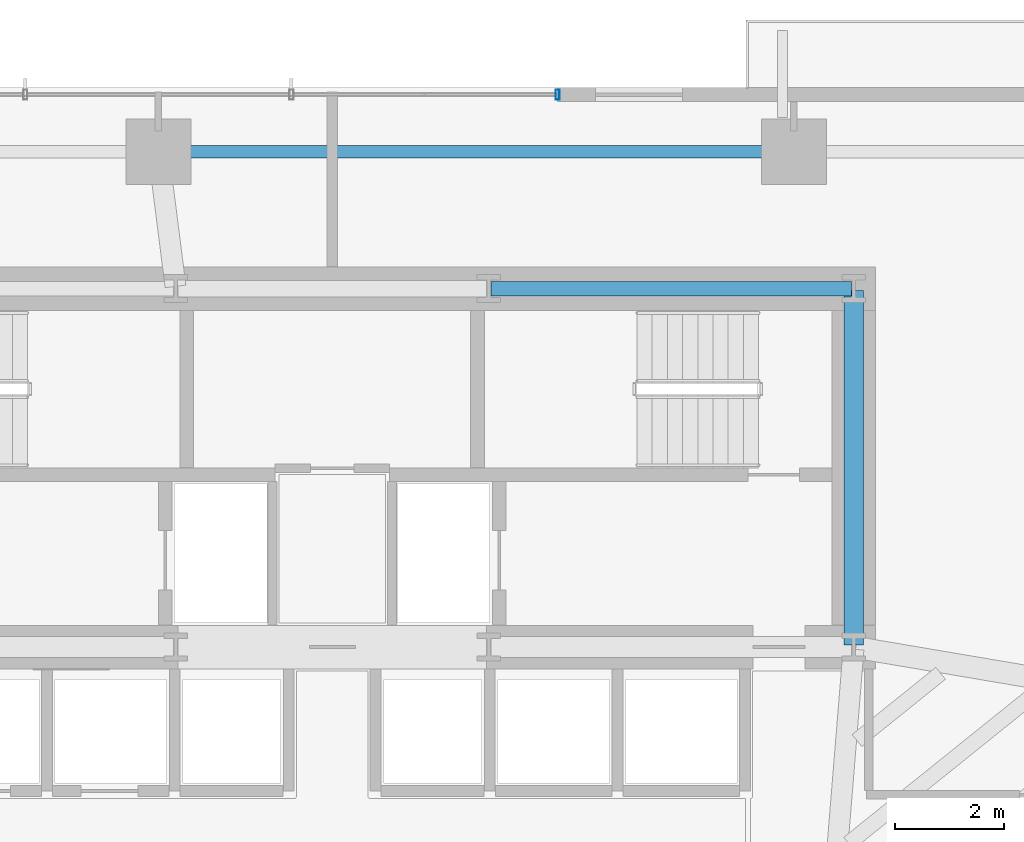
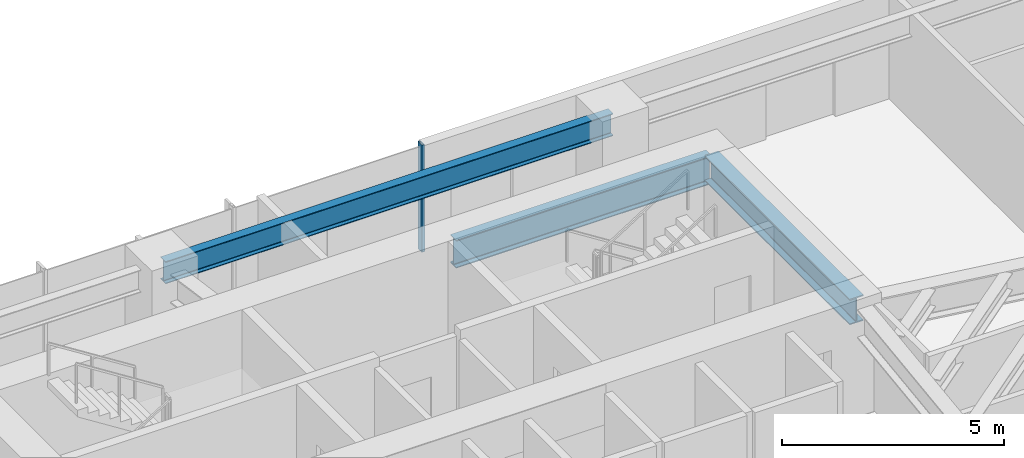
# One storey, part 15 of 25: 3 beams, 1 member, 1 element without a shape of its own.
"""IFC4 building model written with IfcOpenShell, lengths in metres."""

from ifc_helpers import new_model, si_unit, direction, frame, origin, origin_2d, place, context, subcontext, project, spatial, hollow_rectangle, i_section, extrude, source, transform, mapped, material, material_profile, profile_set, type_object, type_shapes, element, aggregate, save


model = new_model("IFC4")

# Units and contexts
model_context = context("Model", 3, precision=1e-05, world=origin(), true_north=direction((0.0, 1.0)))
body_context = subcontext(model_context, "Body", "Model", "MODEL_VIEW")
ifc_project = project(units=[si_unit("LENGTHUNIT", "METRE"), si_unit("AREAUNIT", "SQUARE_METRE"), si_unit("VOLUMEUNIT", "CUBIC_METRE"), si_unit("PLANEANGLEUNIT", "RADIAN"), si_unit("MASSUNIT", "GRAM", prefix="KILO")], contexts=[model_context])

# Site, building, storey
site_placement = place(None, origin())
site = spatial("IfcSite", under=ifc_project, at=site_placement, CompositionType="ELEMENT")
building_placement = place(site_placement, origin())
building = spatial("IfcBuilding", under=site, at=building_placement, Name="Astriad Promenade Condominiums", CompositionType="ELEMENT")
storey_placement = place(building_placement, frame((0.0, 0.0, 26.199951171875)))
storey = spatial("IfcBuildingStorey", under=building, at=storey_placement, Name="L06", CompositionType="ELEMENT", Elevation=26.199951171875)

# Beams
ifc_material_1 = material(Name="Steel ASTM A992 Grade 50", Category="steel")
ifc_material_profile_1 = material_profile(ifc_material_1, i_section(OverallWidth=0.267822265625, OverallDepth=0.76953125, WebThickness=0.015625, FlangeThickness=0.025390625, FilletRadius=0.021484375, at=origin_2d()), Name="W30X132")
ifc_profile_set_1 = profile_set([ifc_material_profile_1], Name="Steel ASTM A992 Grade 50")
beam_type_1 = type_object("IfcBeamType", Name="STEEL FLOOR GIRDER W30X132", PredefinedType="BEAM", material=ifc_profile_set_1)
shared_shape_1 = source(origin(), body_context, "Body", "SweptSolid", [
    extrude(i_section(OverallWidth=0.267822265625, OverallDepth=0.76953125, WebThickness=0.015625, FlangeThickness=0.025390625, FilletRadius=0.021484375, at=origin_2d()), origin(), (0.0, 0.0, 1.0), 6.64013671875),
])
type_shapes(beam_type_1, [shared_shape_1])
beam_1_placement = place(storey_placement, frame((38.919921875, 24.0, 2.55517578125), z_axis=(1.0, 0.0, 0.0), x_axis=(0.0, 1.0, 0.0)))
element("IfcBeam", 1, at=beam_1_placement, inside=storey, type_object=beam_type_1, Name="Core Ring Beam CG-N3-L06", PredefinedType="BEAM", context=body_context, shape_type="MappedRepresentation", body=[
    mapped(shared_shape_1, transform((0.0, 0.0, 0.0), scale=1.0)),
])
ifc_material_profile_2 = material_profile(ifc_material_1, i_section(OverallWidth=0.35791015625, OverallDepth=0.706298828125, WebThickness=0.018310546875, FlangeThickness=0.0302734375, FilletRadius=0.020263671875, at=origin_2d()), Name="W27X178")
ifc_profile_set_2 = profile_set([ifc_material_profile_2], Name="Steel ASTM A992 Grade 50")
beam_type_2 = type_object("IfcBeamType", Name="STEEL FLOOR GIRDER W27X178", PredefinedType="BEAM", material=ifc_profile_set_2)
shared_shape_2 = source(origin(), body_context, "Body", "SweptSolid", [
    extrude(i_section(OverallWidth=0.35791015625, OverallDepth=0.706298828125, WebThickness=0.018310546875, FlangeThickness=0.0302734375, FilletRadius=0.020263671875, at=origin_2d()), origin(), (0.0, 0.0, 1.0), 6.52001953125),
])
type_shapes(beam_type_2, [shared_shape_2])
beam_2_placement = place(storey_placement, frame((45.60009765625, 17.43994140625, 2.5869140625), z_axis=(0.0, 1.0, 0.0), x_axis=(-1.0, 0.0, 0.0)))
element("IfcBeam", 2, at=beam_2_placement, inside=storey, type_object=beam_type_2, Name="Core Ring Beam CG-E1-L06", PredefinedType="BEAM", context=body_context, shape_type="MappedRepresentation", body=[
    mapped(shared_shape_2, transform((0.0, 0.0, 0.0), scale=1.0)),
])
ifc_material_profile_3 = material_profile(ifc_material_1, i_section(OverallWidth=0.22900390625, OverallDepth=0.612060546875, WebThickness=0.011962890625, FlangeThickness=0.01953125, FilletRadius=0.017822265625, at=origin_2d()), Name="W24X84")
ifc_profile_set_3 = profile_set([ifc_material_profile_3], Name="Steel ASTM A992 Grade 50")
beam_type_3 = type_object("IfcBeamType", Name="STEEL SPANDREL BEAM W24X84", PredefinedType="SPANDREL", material=ifc_profile_set_3)
shared_shape_3 = source(origin(), body_context, "Body", "SweptSolid", [
    extrude(i_section(OverallWidth=0.22900390625, OverallDepth=0.612060546875, WebThickness=0.011962890625, FlangeThickness=0.01953125, FilletRadius=0.017822265625, at=origin_2d()), origin(), (0.0, 0.0, 1.0), 11.619873046875),
])
type_shapes(beam_type_3, [shared_shape_3])
beam_3_placement = place(storey_placement, frame((44.4599609375, 26.52001953125, 2.634033203125), z_axis=(-1.0, 0.0, 0.0), x_axis=(0.0, -1.0, 0.0)))
element("IfcBeam", 3, at=beam_3_placement, inside=storey, type_object=beam_type_3, Name="Perimeter Spandrel Beam SP-N3-L06", PredefinedType="SPANDREL", context=body_context, shape_type="MappedRepresentation", body=[
    mapped(shared_shape_3, transform((0.0, 0.0, 0.0), scale=1.0)),
])

# Curtain wall, member
ifc_material_2 = material(Name="Anodised aluminium Black Dark Glass Unitised", Category="aluminium")
curtain_wall_type = type_object("IfcCurtainWallType", Name="CW-B1-DARK", PredefinedType="USERDEFINED", material=ifc_material_2)
curtain_wall_placement = place(storey_placement, origin())
curtain_wall = element("IfcCurtainWall", 4, at=curtain_wall_placement, inside=storey, type_object=curtain_wall_type, Name="CW-L06-N", ObjectType="UNITISED_CURTAIN_WALL", PredefinedType="USERDEFINED")
ifc_material_3 = material(Name="Anodised aluminium 6063-T6 Black", Category="aluminium")
ifc_material_profile_4 = material_profile(ifc_material_3, hollow_rectangle(XDim=0.074951171875, YDim=0.18505859375, WallThickness=0.00439453125, at=origin_2d()), Name="ALU-MUL-75X185")
ifc_profile_set_4 = profile_set([ifc_material_profile_4], Name="Anodised aluminium 6063-T6 Black")
member_type = type_object("IfcMemberType", Name="MUL-ALU-MUL-75X185", PredefinedType="MULLION", material=ifc_profile_set_4)
shared_shape_4 = source(origin(), body_context, "Body", "SweptSolid", [
    extrude(hollow_rectangle(XDim=0.074951171875, YDim=0.18505859375, WallThickness=0.00439453125, at=origin_2d()), origin(), (0.0, 0.0, 1.0), 2.93994140625),
])
type_shapes(member_type, [shared_shape_4])
member_placement = place(storey_placement, frame((40.14990234375, 27.570068359375, 0.0), z_axis=(0.0, 0.0, 1.0), x_axis=(1.0, 0.0, 0.0)))
member = element("IfcMember", 5, at=member_placement, type_object=member_type, Name="CW-L06-N-MUL-03", PredefinedType="MULLION", context=body_context, shape_type="MappedRepresentation", body=[
    mapped(shared_shape_4, transform((0.0, 0.0, 0.0), scale=1.0)),
])
aggregate(curtain_wall, [member])

save(model, "model.ifc")
